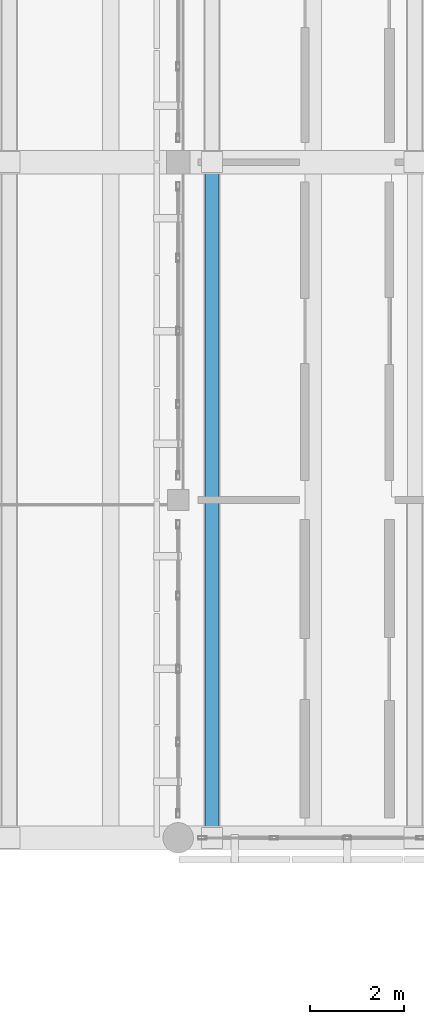
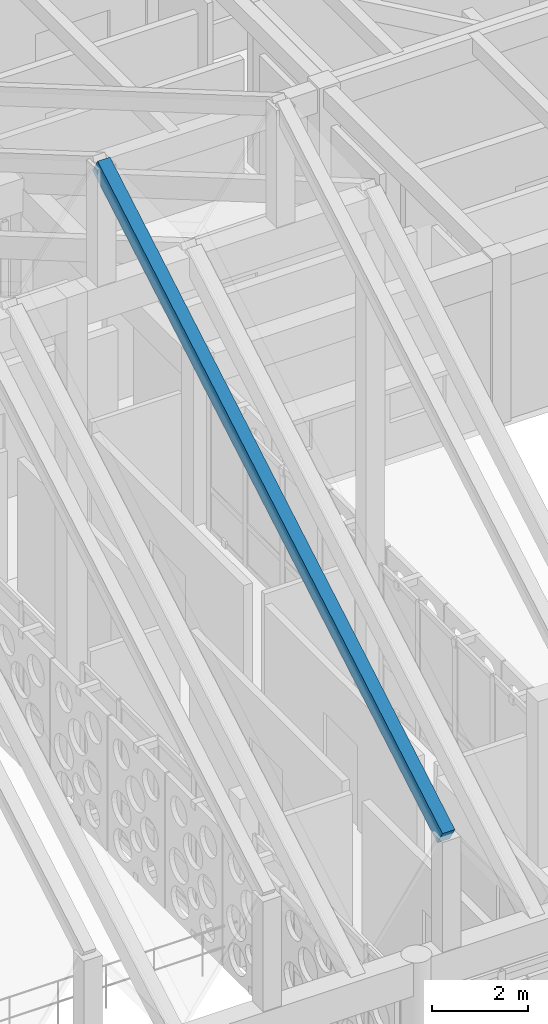
# One storey, part 38 of 171: 1 beam.
"""IFC4 building model written with IfcOpenShell, lengths in metres."""

from ifc_helpers import new_model, si_unit, direction, frame, origin, origin_2d, place, context, subcontext, project, spatial, rectangle, extrude, material, material_profile, profile_set, type_object, element, save


model = new_model("IFC4")

# Units and contexts
model_context = context("Model", 3, precision=1e-05, world=origin(), true_north=direction((0.0, 1.0)))
body_context = subcontext(model_context, "Body", "Model", "MODEL_VIEW")
ifc_project = project(units=[si_unit("LENGTHUNIT", "METRE"), si_unit("AREAUNIT", "SQUARE_METRE"), si_unit("VOLUMEUNIT", "CUBIC_METRE"), si_unit("PLANEANGLEUNIT", "RADIAN"), si_unit("MASSUNIT", "GRAM", prefix="KILO")], contexts=[model_context])

# Site, building, storey
site_placement = place(None, origin())
site = spatial("IfcSite", under=ifc_project, at=site_placement, CompositionType="ELEMENT")
building_placement = place(site_placement, origin())
building = spatial("IfcBuilding", under=site, at=building_placement, Name="Aldebral Square Health Centre", CompositionType="ELEMENT")
storey_placement = place(building_placement, frame((0.0, 0.0, 4.5)))
storey = spatial("IfcBuildingStorey", under=building, at=storey_placement, Name="L01", CompositionType="ELEMENT", Elevation=4.5)

# Beam
ifc_material = material(Name="Concrete C40/50", Category="concrete")
ifc_material_profile = material_profile(ifc_material, rectangle(XDim=0.300048828125, YDim=0.419921875, at=origin_2d()), Name="RC 300x420")
ifc_profile_set = profile_set([ifc_material_profile], Name="Concrete C40/50")
beam_type = type_object("IfcBeamType", Name="BM-FP2", PredefinedType="BEAM", material=ifc_profile_set)
beam_placement = place(storey_placement, frame((101.52001953125, 72.0, 7.25), z_axis=(0.0, 0.863779963214, 0.503869204407), x_axis=(-1.0, 0.0, 0.0)))
element("IfcBeam", 1, at=beam_placement, inside=storey, type_object=beam_type, Name="Folded-plate south ridge rib 9", PredefinedType="BEAM", context=body_context, shape_type="SweptSolid", body=[
    extrude(rectangle(XDim=0.300048828125, YDim=0.419921875, at=origin_2d()), origin(), (0.0, 0.0, 1.0), 16.6708984375),
])

save(model, "model.ifc")
